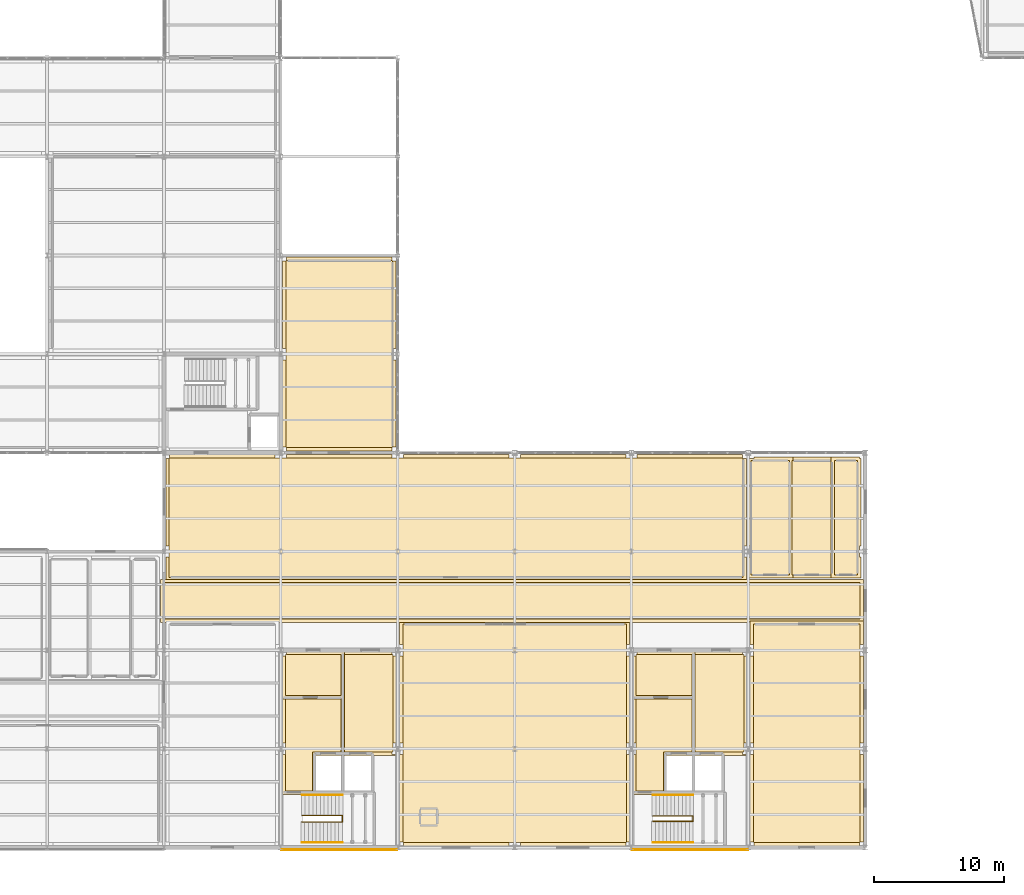
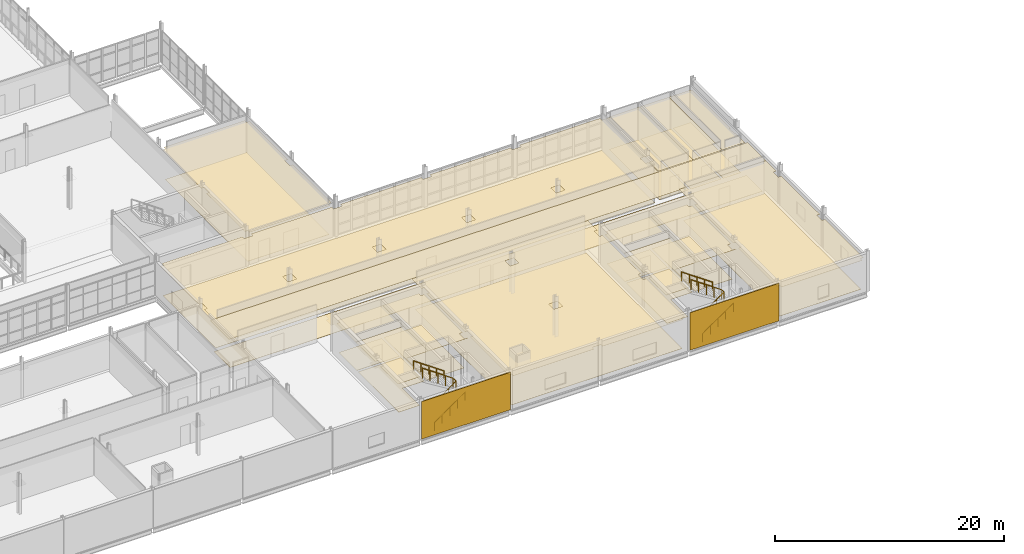
# One storey, part 167 of 174: 30 coverings, 6 railings.
"""IFC4 building model written with IfcOpenShell, lengths in metres."""

from ifc_helpers import new_model, si_unit, direction, frame, origin, origin_2d, place, context, subcontext, project, spatial, polyline, rectangle, circle, outline, extrude, material, layer, layer_set, type_object, element, save


model = new_model("IFC4")

# Units and contexts
model_context = context("Model", 3, precision=1e-05, world=origin(), true_north=direction((0.0, 1.0)))
body_context = subcontext(model_context, "Body", "Model", "MODEL_VIEW")
ifc_project = project(units=[si_unit("LENGTHUNIT", "METRE"), si_unit("AREAUNIT", "SQUARE_METRE"), si_unit("VOLUMEUNIT", "CUBIC_METRE"), si_unit("PLANEANGLEUNIT", "RADIAN"), si_unit("MASSUNIT", "GRAM", prefix="KILO")], contexts=[model_context])

# Site, building, storey
site_placement = place(None, origin())
site = spatial("IfcSite", under=ifc_project, at=site_placement, CompositionType="ELEMENT")
building_placement = place(site_placement, origin())
building = spatial("IfcBuilding", under=site, at=building_placement, Name="Caisbarro Railhouse Central Library", CompositionType="ELEMENT")
storey_placement = place(building_placement, frame((0.0, 0.0, 5.0400390625)))
storey = spatial("IfcBuildingStorey", under=building, at=storey_placement, Name="L01", CompositionType="ELEMENT", Elevation=5.0400390625)

# Coverings
ifc_material_1 = material(Name="Extruded architectural terracotta rainscreen", Category="masonry")
ifc_layer_1 = layer(ifc_material_1, 0.054931640625, Name="Extruded architectural terracotta rainscreen")
ifc_layer_set_1 = layer_set([ifc_layer_1], Name="Extruded architectural terracotta rainscreen")
covering_type_1 = type_object("IfcCoveringType", Name="CLD-TER01", PredefinedType="CLADDING", material=ifc_layer_set_1)
for number, where, z_axis, x_axis, name in (
    (1, (67.5, -0.17138671875, 0.030029296875), (0.0, 0.0, 1.0), (1.0, 0.0, 0.0), "TER01 facade cladding L01-025"),
    (2, (94.5, -0.17138671875, 0.030029296875), (0.0, 0.0, 1.0), (1.0, 0.0, 0.0), "TER01 facade cladding L01-026"),
):
    element("IfcCovering", number, at=place(storey_placement, frame(where, z_axis=z_axis, x_axis=x_axis)), inside=storey, type_object=covering_type_1, Name=name, PredefinedType="CLADDING", context=body_context, shape_type="SweptSolid", body=[
        extrude(rectangle(XDim=8.9599609375, YDim=0.054931640625, at=origin_2d()), origin(), (0.0, 0.0, 1.0), 4.0),
    ])
ifc_material_2 = material(Name="Perforated mineral-fibre acoustic ceiling tile")
ifc_layer_2 = layer(ifc_material_2, 0.01806640625, Name="Perforated mineral-fibre acoustic ceiling tile")
ifc_layer_set_2 = layer_set([ifc_layer_2], Name="Perforated mineral-fibre acoustic ceiling tile")
covering_type_2 = type_object("IfcCoveringType", Name="COV-CL01", PredefinedType="CEILING", material=ifc_layer_set_2)
covering_1_placement = place(storey_placement, frame((0.0, 0.0, 3.25)))
element("IfcCovering", 3, at=covering_1_placement, inside=storey, type_object=covering_type_2, Name="CL01 acoustic ceiling Firefighting Lift Lobby K1", PredefinedType="CEILING", context=body_context, shape_type="SweptSolid", body=[
    extrude(outline(polyline([(63.090087890625, 7.159912109375), (63.43994140625, 7.159912109375), (63.43994140625, 8.0400390625), (63.090087890625, 8.0400390625), (63.090087890625, 11.7099609375), (67.909912109375, 11.7099609375), (67.909912109375, 7.090087890625), (65.7099609375, 7.090087890625), (65.7099609375, 4.090087890625), (63.090087890625, 4.090087890625), (63.090087890625, 7.159912109375)])), origin(), (0.0, 0.0, 1.0), 0.01806640625),
])
covering_2_placement = place(storey_placement, frame((0.0, 0.0, 3.25)))
element("IfcCovering", 4, at=covering_2_placement, inside=storey, type_object=covering_type_2, Name="CL01 acoustic ceiling Lift Lobby K1", PredefinedType="CEILING", context=body_context, shape_type="SweptSolid", body=[
    extrude(outline(polyline([(71.56005859375, 15.110107421875), (71.56005859375, 14.760009765625), (71.909912109375, 14.760009765625), (71.909912109375, 8.0400390625), (71.56005859375, 8.0400390625), (71.56005859375, 7.159912109375), (71.909912109375, 7.159912109375), (71.909912109375, 7.090087890625), (67.639892578125, 7.090087890625), (67.639892578125, 15.110107421875), (71.56005859375, 15.110107421875)])), origin(), (0.0, 0.0, 1.0), 0.01806640625),
])
covering_3_placement = place(storey_placement, frame((0.0, 0.0, 3.25)))
element("IfcCovering", 5, at=covering_3_placement, inside=storey, type_object=covering_type_2, Name="CL01 acoustic ceiling Core Vestibule K1", PredefinedType="CEILING", context=body_context, shape_type="SweptSolid", body=[
    extrude(outline(polyline([(63.090087890625, 14.760009765625), (63.43994140625, 14.760009765625), (63.43994140625, 15.110107421875), (67.909912109375, 15.110107421875), (67.909912109375, 11.43994140625), (63.090087890625, 11.43994140625), (63.090087890625, 14.760009765625)])), origin(), (0.0, 0.0, 1.0), 0.01806640625),
])
covering_4_placement = place(storey_placement, frame((0.0, 0.0, 3.25)))
element("IfcCovering", 6, at=covering_4_placement, inside=storey, type_object=covering_type_2, Name="CL01 acoustic ceiling Firefighting Lift Lobby K2", PredefinedType="CEILING", context=body_context, shape_type="SweptSolid", body=[
    extrude(outline(polyline([(90.090087890625, 7.159912109375), (90.43994140625, 7.159912109375), (90.43994140625, 8.0400390625), (90.090087890625, 8.0400390625), (90.090087890625, 11.7099609375), (94.909912109375, 11.7099609375), (94.909912109375, 7.090087890625), (92.7099609375, 7.090087890625), (92.7099609375, 4.090087890625), (90.090087890625, 4.090087890625), (90.090087890625, 7.159912109375)])), origin(), (0.0, 0.0, 1.0), 0.01806640625),
])
covering_5_placement = place(storey_placement, frame((0.0, 0.0, 3.25)))
element("IfcCovering", 7, at=covering_5_placement, inside=storey, type_object=covering_type_2, Name="CL01 acoustic ceiling Lift Lobby K2", PredefinedType="CEILING", context=body_context, shape_type="SweptSolid", body=[
    extrude(outline(polyline([(98.56005859375, 15.110107421875), (98.56005859375, 14.760009765625), (98.909912109375, 14.760009765625), (98.909912109375, 8.0400390625), (98.56005859375, 8.0400390625), (98.56005859375, 7.159912109375), (98.909912109375, 7.159912109375), (98.909912109375, 7.090087890625), (94.639892578125, 7.090087890625), (94.639892578125, 15.110107421875), (98.56005859375, 15.110107421875)])), origin(), (0.0, 0.0, 1.0), 0.01806640625),
])
covering_6_placement = place(storey_placement, frame((0.0, 0.0, 3.25)))
element("IfcCovering", 8, at=covering_6_placement, inside=storey, type_object=covering_type_2, Name="CL01 acoustic ceiling Core Vestibule K2", PredefinedType="CEILING", context=body_context, shape_type="SweptSolid", body=[
    extrude(outline(polyline([(90.090087890625, 14.760009765625), (90.43994140625, 14.760009765625), (90.43994140625, 15.110107421875), (94.909912109375, 15.110107421875), (94.909912109375, 11.43994140625), (90.090087890625, 11.43994140625), (90.090087890625, 14.760009765625)])), origin(), (0.0, 0.0, 1.0), 0.01806640625),
])
covering_7_placement = place(storey_placement, frame((0.0, 0.0, 3.25)))
element("IfcCovering", 9, at=covering_7_placement, inside=storey, type_object=covering_type_2, Name="CL01 acoustic ceiling Open Humanities Stacks East", PredefinedType="CEILING", context=body_context, shape_type="SweptSolid", body=[
    extrude(outline(polyline([(72.43994140625, 0.43994140625), (72.139892578125, 0.43994140625), (72.139892578125, 7.159912109375), (72.43994140625, 7.159912109375), (72.43994140625, 8.0400390625), (72.139892578125, 8.0400390625), (72.139892578125, 14.760009765625), (72.43994140625, 14.760009765625), (72.43994140625, 15.639892578125), (72.139892578125, 15.639892578125), (72.139892578125, 17.4599609375), (89.860107421875, 17.4599609375), (89.860107421875, 15.639892578125), (89.56005859375, 15.639892578125), (89.56005859375, 14.760009765625), (89.860107421875, 14.760009765625), (89.860107421875, 8.0400390625), (89.56005859375, 8.0400390625), (89.56005859375, 7.159912109375), (89.860107421875, 7.159912109375), (89.860107421875, 0.43994140625), (89.56005859375, 0.43994140625), (89.56005859375, 0.139892578125), (81.43994140625, 0.139892578125), (81.43994140625, 0.43994140625), (80.56005859375, 0.43994140625), (80.56005859375, 0.139892578125), (72.43994140625, 0.139892578125), (72.43994140625, 0.43994140625)]), holes=[polyline([(81.43994140625, 8.0400390625), (80.56005859375, 8.0400390625), (80.56005859375, 7.159912109375), (81.43994140625, 7.159912109375), (81.43994140625, 8.0400390625)]), polyline([(81.43994140625, 14.760009765625), (81.43994140625, 15.639892578125), (80.56005859375, 15.639892578125), (80.56005859375, 14.760009765625), (81.43994140625, 14.760009765625)])]), origin(), (0.0, 0.0, 1.0), 0.01806640625),
])
covering_8_placement = place(storey_placement, frame((0.0, 0.0, 3.25)))
element("IfcCovering", 10, at=covering_8_placement, inside=storey, type_object=covering_type_2, Name="CL01 acoustic ceiling Rare-Serials Closed Stacks", PredefinedType="CEILING", context=body_context, shape_type="SweptSolid", body=[
    extrude(outline(polyline([(99.139892578125, 0.43994140625), (99.139892578125, 7.159912109375), (99.43994140625, 7.159912109375), (99.43994140625, 8.0400390625), (99.139892578125, 8.0400390625), (99.139892578125, 14.760009765625), (99.43994140625, 14.760009765625), (99.43994140625, 15.639892578125), (99.139892578125, 15.639892578125), (99.139892578125, 17.4599609375), (107.860107421875, 17.4599609375), (107.860107421875, 15.639892578125), (107.56005859375, 15.639892578125), (107.56005859375, 14.760009765625), (107.860107421875, 14.760009765625), (107.860107421875, 8.0400390625), (107.56005859375, 8.0400390625), (107.56005859375, 7.159912109375), (107.860107421875, 7.159912109375), (107.860107421875, 0.43994140625), (107.56005859375, 0.43994140625), (107.56005859375, 0.139892578125), (99.43994140625, 0.139892578125), (99.43994140625, 0.43994140625), (99.139892578125, 0.43994140625)])), origin(), (0.0, 0.0, 1.0), 0.01806640625),
])
covering_9_placement = place(storey_placement, frame((0.0, 0.0, 3.25)))
element("IfcCovering", 11, at=covering_9_placement, inside=storey, type_object=covering_type_2, Name="CL01 acoustic ceiling Archive Spine Corridor L01", PredefinedType="CEILING", context=body_context, shape_type="SweptSolid", body=[
    extrude(outline(polyline([(53.739990234375, 17.340087890625), (53.739990234375, 20.659912109375), (107.860107421875, 20.659912109375), (107.860107421875, 17.340087890625), (53.739990234375, 17.340087890625)])), origin(), (0.0, 0.0, 1.0), 0.01806640625),
])
covering_10_placement = place(storey_placement, frame((0.0, 0.0, 3.25)))
element("IfcCovering", 12, at=covering_10_placement, inside=storey, type_object=covering_type_2, Name="CL01 acoustic ceiling Social Sciences Open Stacks", PredefinedType="CEILING", context=body_context, shape_type="SweptSolid", body=[
    extrude(outline(polyline([(71.56005859375, 30.260009765625), (71.56005859375, 29.9599609375), (72.43994140625, 29.9599609375), (72.43994140625, 30.260009765625), (80.56005859375, 30.260009765625), (80.56005859375, 29.9599609375), (81.43994140625, 29.9599609375), (81.43994140625, 30.260009765625), (89.56005859375, 30.260009765625), (89.56005859375, 29.9599609375), (90.43994140625, 29.9599609375), (90.43994140625, 30.260009765625), (98.56005859375, 30.260009765625), (98.56005859375, 29.9599609375), (98.860107421875, 29.9599609375), (98.860107421875, 23.239990234375), (98.56005859375, 23.239990234375), (98.56005859375, 22.360107421875), (98.860107421875, 22.360107421875), (98.860107421875, 20.5400390625), (54.139892578125, 20.5400390625), (54.139892578125, 22.360107421875), (54.43994140625, 22.360107421875), (54.43994140625, 23.239990234375), (54.139892578125, 23.239990234375), (54.139892578125, 29.9599609375), (54.43994140625, 29.9599609375), (54.43994140625, 30.260009765625), (62.56005859375, 30.260009765625), (62.56005859375, 29.9599609375), (63.43994140625, 29.9599609375), (63.43994140625, 30.260009765625), (71.56005859375, 30.260009765625)]), holes=[polyline([(62.56005859375, 23.239990234375), (62.56005859375, 22.360107421875), (63.43994140625, 22.360107421875), (63.43994140625, 23.239990234375), (62.56005859375, 23.239990234375)]), polyline([(72.43994140625, 22.360107421875), (72.43994140625, 23.239990234375), (71.56005859375, 23.239990234375), (71.56005859375, 22.360107421875), (72.43994140625, 22.360107421875)]), polyline([(80.56005859375, 23.239990234375), (80.56005859375, 22.360107421875), (81.43994140625, 22.360107421875), (81.43994140625, 23.239990234375), (80.56005859375, 23.239990234375)]), polyline([(90.43994140625, 22.360107421875), (90.43994140625, 23.239990234375), (89.56005859375, 23.239990234375), (89.56005859375, 22.360107421875), (90.43994140625, 22.360107421875)])]), origin(), (0.0, 0.0, 1.0), 0.01806640625),
])
covering_11_placement = place(storey_placement, frame((0.0, 0.0, 3.25)))
element("IfcCovering", 13, at=covering_11_placement, inside=storey, type_object=covering_type_2, Name="CL01 acoustic ceiling Male WC L01-E", PredefinedType="CEILING", context=body_context, shape_type="SweptSolid", body=[
    extrude(outline(polyline([(99.43994140625, 22.360107421875), (99.43994140625, 23.239990234375), (98.93994140625, 23.239990234375), (98.93994140625, 29.9599609375), (99.43994140625, 29.9599609375), (99.43994140625, 30.06005859375), (102.427978515625, 30.06005859375), (102.427978515625, 20.739990234375), (98.93994140625, 20.739990234375), (98.93994140625, 22.360107421875), (99.43994140625, 22.360107421875)])), origin(), (0.0, 0.0, 1.0), 0.01806640625),
])
covering_12_placement = place(storey_placement, frame((0.0, 0.0, 3.25)))
element("IfcCovering", 14, at=covering_12_placement, inside=storey, type_object=covering_type_2, Name="CL01 acoustic ceiling Female WC L01-E", PredefinedType="CEILING", context=body_context, shape_type="SweptSolid", body=[
    extrude(outline(polyline([(102.10791015625, 20.739990234375), (102.10791015625, 30.06005859375), (105.696044921875, 30.06005859375), (105.696044921875, 20.739990234375), (102.10791015625, 20.739990234375)])), origin(), (0.0, 0.0, 1.0), 0.01806640625),
])
covering_13_placement = place(storey_placement, frame((0.0, 0.0, 3.25)))
element("IfcCovering", 15, at=covering_13_placement, inside=storey, type_object=covering_type_2, Name="CL01 acoustic ceiling Accessible WC L01-E", PredefinedType="CEILING", context=body_context, shape_type="SweptSolid", body=[
    extrude(outline(polyline([(107.56005859375, 30.06005859375), (107.56005859375, 29.9599609375), (107.659912109375, 29.9599609375), (107.659912109375, 23.239990234375), (107.56005859375, 23.239990234375), (107.56005859375, 22.360107421875), (107.659912109375, 22.360107421875), (107.659912109375, 20.739990234375), (105.3759765625, 20.739990234375), (105.3759765625, 30.06005859375), (107.56005859375, 30.06005859375)])), origin(), (0.0, 0.0, 1.0), 0.01806640625),
])
covering_14_placement = place(storey_placement, frame((0.0, 0.0, 3.25)))
element("IfcCovering", 16, at=covering_14_placement, inside=storey, type_object=covering_type_2, Name="CL01 acoustic ceiling Foyer Overlook Lounge", PredefinedType="CEILING", context=body_context, shape_type="SweptSolid", body=[
    extrude(outline(polyline([(63.139892578125, 30.840087890625), (63.139892578125, 37.56005859375), (63.43994140625, 37.56005859375), (63.43994140625, 38.43994140625), (63.139892578125, 38.43994140625), (63.139892578125, 45.159912109375), (63.43994140625, 45.159912109375), (63.43994140625, 45.4599609375), (71.56005859375, 45.4599609375), (71.56005859375, 45.159912109375), (71.860107421875, 45.159912109375), (71.860107421875, 38.43994140625), (71.56005859375, 38.43994140625), (71.56005859375, 37.56005859375), (71.860107421875, 37.56005859375), (71.860107421875, 30.840087890625), (71.56005859375, 30.840087890625), (71.56005859375, 30.5400390625), (63.43994140625, 30.5400390625), (63.43994140625, 30.840087890625), (63.139892578125, 30.840087890625)])), origin(), (0.0, 0.0, 1.0), 0.01806640625),
])
ifc_material_3 = material(Name="Polished cementitious terrazzo flooring")
ifc_layer_3 = layer(ifc_material_3, 0.02197265625, Name="Polished cementitious terrazzo flooring")
ifc_layer_set_3 = layer_set([ifc_layer_3], Name="Polished cementitious terrazzo flooring")
covering_type_3 = type_object("IfcCoveringType", Name="COV-FL01", PredefinedType="FLOORING", material=ifc_layer_set_3)
covering_15_placement = place(storey_placement, origin())
element("IfcCovering", 17, at=covering_15_placement, inside=storey, type_object=covering_type_3, Name="FL01 flooring Firefighting Lift Lobby K1", PredefinedType="FLOORING", context=body_context, shape_type="SweptSolid", body=[
    extrude(outline(polyline([(63.35009765625, 4.35009765625), (65.449951171875, 4.35009765625), (65.449951171875, 7.35009765625), (67.64990234375, 7.35009765625), (67.64990234375, 11.449951171875), (63.35009765625, 11.449951171875), (63.35009765625, 4.35009765625)])), origin(), (0.0, 0.0, 1.0), 0.02197265625),
])
covering_16_placement = place(storey_placement, origin())
element("IfcCovering", 18, at=covering_16_placement, inside=storey, type_object=covering_type_3, Name="FL01 flooring Lift Lobby K1", PredefinedType="FLOORING", context=body_context, shape_type="SweptSolid", body=[
    extrude(outline(polyline([(67.89990234375, 7.35009765625), (71.64990234375, 7.35009765625), (71.64990234375, 14.85009765625), (67.89990234375, 14.85009765625), (67.89990234375, 7.35009765625)])), origin(), (0.0, 0.0, 1.0), 0.02197265625),
])
covering_17_placement = place(storey_placement, origin())
element("IfcCovering", 19, at=covering_17_placement, inside=storey, type_object=covering_type_3, Name="FL01 flooring Firefighting Lift Lobby K2", PredefinedType="FLOORING", context=body_context, shape_type="SweptSolid", body=[
    extrude(outline(polyline([(90.35009765625, 4.35009765625), (92.449951171875, 4.35009765625), (92.449951171875, 7.35009765625), (94.64990234375, 7.35009765625), (94.64990234375, 11.449951171875), (90.35009765625, 11.449951171875), (90.35009765625, 4.35009765625)])), origin(), (0.0, 0.0, 1.0), 0.02197265625),
])
covering_18_placement = place(storey_placement, origin())
element("IfcCovering", 20, at=covering_18_placement, inside=storey, type_object=covering_type_3, Name="FL01 flooring Lift Lobby K2", PredefinedType="FLOORING", context=body_context, shape_type="SweptSolid", body=[
    extrude(outline(polyline([(94.89990234375, 7.35009765625), (98.64990234375, 7.35009765625), (98.64990234375, 14.85009765625), (94.89990234375, 14.85009765625), (94.89990234375, 7.35009765625)])), origin(), (0.0, 0.0, 1.0), 0.02197265625),
])
covering_19_placement = place(storey_placement, origin())
element("IfcCovering", 21, at=covering_19_placement, inside=storey, type_object=covering_type_3, Name="FL01 flooring Archive Spine Corridor L01", PredefinedType="FLOORING", context=body_context, shape_type="SweptSolid", body=[
    extrude(outline(polyline([(54.0, 17.60009765625), (107.60009765625, 17.60009765625), (107.60009765625, 20.39990234375), (54.0, 20.39990234375), (54.0, 17.60009765625)])), origin(), (0.0, 0.0, 1.0), 0.02197265625),
])
covering_20_placement = place(storey_placement, origin())
element("IfcCovering", 22, at=covering_20_placement, inside=storey, type_object=covering_type_3, Name="FL01 flooring Foyer Overlook Lounge", PredefinedType="FLOORING", context=body_context, shape_type="SweptSolid", body=[
    extrude(outline(polyline([(63.39990234375, 30.800048828125), (71.60009765625, 30.800048828125), (71.60009765625, 45.199951171875), (63.39990234375, 45.199951171875), (63.39990234375, 30.800048828125)])), origin(), (0.0, 0.0, 1.0), 0.02197265625),
])
ifc_material_4 = material(Name="Heavy-duty acoustic linoleum flooring")
ifc_layer_4 = layer(ifc_material_4, 0.011962890625, Name="Heavy-duty acoustic linoleum flooring")
ifc_layer_set_4 = layer_set([ifc_layer_4], Name="Heavy-duty acoustic linoleum flooring")
covering_type_4 = type_object("IfcCoveringType", Name="COV-FL02", PredefinedType="FLOORING", material=ifc_layer_set_4)
covering_21_placement = place(storey_placement, origin())
element("IfcCovering", 23, at=covering_21_placement, inside=storey, type_object=covering_type_4, Name="FL02 flooring Core Vestibule K1", PredefinedType="FLOORING", context=body_context, shape_type="SweptSolid", body=[
    extrude(outline(polyline([(63.35009765625, 11.699951171875), (67.64990234375, 11.699951171875), (67.64990234375, 14.85009765625), (63.35009765625, 14.85009765625), (63.35009765625, 11.699951171875)])), origin(), (0.0, 0.0, 1.0), 0.011962890625),
])
covering_22_placement = place(storey_placement, origin())
element("IfcCovering", 24, at=covering_22_placement, inside=storey, type_object=covering_type_4, Name="FL02 flooring Core Vestibule K2", PredefinedType="FLOORING", context=body_context, shape_type="SweptSolid", body=[
    extrude(outline(polyline([(90.35009765625, 11.699951171875), (94.64990234375, 11.699951171875), (94.64990234375, 14.85009765625), (90.35009765625, 14.85009765625), (90.35009765625, 11.699951171875)])), origin(), (0.0, 0.0, 1.0), 0.011962890625),
])
covering_23_placement = place(storey_placement, origin())
element("IfcCovering", 25, at=covering_23_placement, inside=storey, type_object=covering_type_4, Name="FL02 flooring Open Humanities Stacks East", PredefinedType="FLOORING", context=body_context, shape_type="SweptSolid", body=[
    extrude(outline(polyline([(72.39990234375, 0.39990234375), (89.60009765625, 0.39990234375), (89.60009765625, 17.199951171875), (72.39990234375, 17.199951171875), (72.39990234375, 0.39990234375)])), origin(), (0.0, 0.0, 1.0), 0.011962890625),
])
covering_24_placement = place(storey_placement, origin())
element("IfcCovering", 26, at=covering_24_placement, inside=storey, type_object=covering_type_4, Name="FL02 flooring Rare-Serials Closed Stacks", PredefinedType="FLOORING", context=body_context, shape_type="SweptSolid", body=[
    extrude(outline(polyline([(99.39990234375, 0.39990234375), (107.60009765625, 0.39990234375), (107.60009765625, 17.199951171875), (99.39990234375, 17.199951171875), (99.39990234375, 0.39990234375)])), origin(), (0.0, 0.0, 1.0), 0.011962890625),
])
covering_25_placement = place(storey_placement, origin())
element("IfcCovering", 27, at=covering_25_placement, inside=storey, type_object=covering_type_4, Name="FL02 flooring Social Sciences Open Stacks", PredefinedType="FLOORING", context=body_context, shape_type="SweptSolid", body=[
    extrude(outline(polyline([(54.39990234375, 20.800048828125), (98.60009765625, 20.800048828125), (98.60009765625, 30.0), (54.39990234375, 30.0), (54.39990234375, 20.800048828125)])), origin(), (0.0, 0.0, 1.0), 0.011962890625),
])
covering_26_placement = place(storey_placement, origin())
element("IfcCovering", 28, at=covering_26_placement, inside=storey, type_object=covering_type_4, Name="FL02 flooring Male WC L01-E", PredefinedType="FLOORING", context=body_context, shape_type="SweptSolid", body=[
    extrude(outline(polyline([(99.199951171875, 21.0), (102.16796875, 21.0), (102.16796875, 29.800048828125), (99.199951171875, 29.800048828125), (99.199951171875, 21.0)])), origin(), (0.0, 0.0, 1.0), 0.011962890625),
])
covering_27_placement = place(storey_placement, origin())
element("IfcCovering", 29, at=covering_27_placement, inside=storey, type_object=covering_type_4, Name="FL02 flooring Female WC L01-E", PredefinedType="FLOORING", context=body_context, shape_type="SweptSolid", body=[
    extrude(outline(polyline([(102.367919921875, 21.0), (105.43603515625, 21.0), (105.43603515625, 29.800048828125), (102.367919921875, 29.800048828125), (102.367919921875, 21.0)])), origin(), (0.0, 0.0, 1.0), 0.011962890625),
])
covering_28_placement = place(storey_placement, origin())
element("IfcCovering", 30, at=covering_28_placement, inside=storey, type_object=covering_type_4, Name="FL02 flooring Accessible WC L01-E", PredefinedType="FLOORING", context=body_context, shape_type="SweptSolid", body=[
    extrude(outline(polyline([(105.635986328125, 21.0), (107.39990234375, 21.0), (107.39990234375, 29.800048828125), (105.635986328125, 29.800048828125), (105.635986328125, 21.0)])), origin(), (0.0, 0.0, 1.0), 0.011962890625),
])

# Railings
ifc_material_5 = material(Name="Brushed stainless steel Grade 316", Category="steel")
railing_type_1 = type_object("IfcRailingType", Name="RLG-STR092", PredefinedType="HANDRAIL", material=ifc_material_5)
railing_1_placement = place(storey_placement, frame((64.64990234375, 0.389892578125, 0.0)))
element("IfcRailing", 31, at=railing_1_placement, inside=storey, type_object=railing_type_1, Name="Stair ST-01 Outer Handrail F1 L01", PredefinedType="HANDRAIL", context=body_context, shape_type="SweptSolid", body=[
    extrude(circle(Radius=0.02392578125, at=origin_2d()), frame((0.0, 0.0, 0.89599609375), z_axis=(0.819624179701, 0.0, 0.572901565759), x_axis=(0.0, 1.0, 0.0)), (0.0, 0.0, 1.0), 3.77001953125),
    extrude(circle(Radius=0.02099609375, at=origin_2d()), origin(), (0.0, 0.0, 1.0), 0.871826171875),
    extrude(circle(Radius=0.02099609375, at=origin_2d()), frame((0.7724609375, 0.0, 0.5400390625)), (0.0, 0.0, 1.0), 0.871826171875),
    extrude(circle(Radius=0.02099609375, at=origin_2d()), frame((1.544921875, 0.0, 1.080078125)), (0.0, 0.0, 1.0), 0.871826171875),
    extrude(circle(Radius=0.02099609375, at=origin_2d()), frame((2.317626953125, 0.0, 1.619873046875)), (0.0, 0.0, 1.0), 0.871826171875),
    extrude(circle(Radius=0.02099609375, at=origin_2d()), frame((3.090087890625, 0.0, 2.159912109375)), (0.0, 0.0, 1.0), 0.871826171875),
])
railing_2_placement = place(storey_placement, frame((67.739990234375, 4.06005859375, 2.159912109375)))
element("IfcRailing", 32, at=railing_2_placement, inside=storey, type_object=railing_type_1, Name="Stair ST-01 Outer Handrail F2 L01", PredefinedType="HANDRAIL", context=body_context, shape_type="SweptSolid", body=[
    extrude(circle(Radius=0.02392578125, at=origin_2d()), frame((0.0, 0.0, 0.89599609375), z_axis=(-0.819593772312, 0.0, 0.572945065767), x_axis=(0.0, -1.0, 0.0)), (0.0, 0.0, 1.0), 3.770263671875),
    extrude(circle(Radius=0.02099609375, at=origin_2d()), origin(), (0.0, 0.0, 1.0), 0.871826171875),
    extrude(circle(Radius=0.02099609375, at=origin_2d()), frame((-0.7724609375, 0.0, 0.5400390625)), (0.0, 0.0, 1.0), 0.871826171875),
    extrude(circle(Radius=0.02099609375, at=origin_2d()), frame((-1.544921875, 0.0, 1.080078125)), (0.0, 0.0, 1.0), 0.871826171875),
    extrude(circle(Radius=0.02099609375, at=origin_2d()), frame((-2.317626953125, 0.0, 1.6201171875)), (0.0, 0.0, 1.0), 0.871826171875),
    extrude(circle(Radius=0.02099609375, at=origin_2d()), frame((-3.090087890625, 0.0, 2.16015625)), (0.0, 0.0, 1.0), 0.871826171875),
])
railing_3_placement = place(storey_placement, frame((91.64990234375, 0.389892578125, 0.0)))
element("IfcRailing", 33, at=railing_3_placement, inside=storey, type_object=railing_type_1, Name="Stair ST-02 Outer Handrail F1 L01", PredefinedType="HANDRAIL", context=body_context, shape_type="SweptSolid", body=[
    extrude(circle(Radius=0.02392578125, at=origin_2d()), frame((0.0, 0.0, 0.89599609375), z_axis=(0.819624179701, 0.0, 0.572901565759), x_axis=(0.0, 1.0, 0.0)), (0.0, 0.0, 1.0), 3.77001953125),
    extrude(circle(Radius=0.02099609375, at=origin_2d()), origin(), (0.0, 0.0, 1.0), 0.871826171875),
    extrude(circle(Radius=0.02099609375, at=origin_2d()), frame((0.7724609375, 0.0, 0.5400390625)), (0.0, 0.0, 1.0), 0.871826171875),
    extrude(circle(Radius=0.02099609375, at=origin_2d()), frame((1.544921875, 0.0, 1.080078125)), (0.0, 0.0, 1.0), 0.871826171875),
    extrude(circle(Radius=0.02099609375, at=origin_2d()), frame((2.317626953125, 0.0, 1.619873046875)), (0.0, 0.0, 1.0), 0.871826171875),
    extrude(circle(Radius=0.02099609375, at=origin_2d()), frame((3.090087890625, 0.0, 2.159912109375)), (0.0, 0.0, 1.0), 0.871826171875),
])
railing_4_placement = place(storey_placement, frame((94.739990234375, 4.06005859375, 2.159912109375)))
element("IfcRailing", 34, at=railing_4_placement, inside=storey, type_object=railing_type_1, Name="Stair ST-02 Outer Handrail F2 L01", PredefinedType="HANDRAIL", context=body_context, shape_type="SweptSolid", body=[
    extrude(circle(Radius=0.02392578125, at=origin_2d()), frame((0.0, 0.0, 0.89599609375), z_axis=(-0.819593772312, 0.0, 0.572945065767), x_axis=(0.0, -1.0, 0.0)), (0.0, 0.0, 1.0), 3.770263671875),
    extrude(circle(Radius=0.02099609375, at=origin_2d()), origin(), (0.0, 0.0, 1.0), 0.871826171875),
    extrude(circle(Radius=0.02099609375, at=origin_2d()), frame((-0.7724609375, 0.0, 0.5400390625)), (0.0, 0.0, 1.0), 0.871826171875),
    extrude(circle(Radius=0.02099609375, at=origin_2d()), frame((-1.544921875, 0.0, 1.080078125)), (0.0, 0.0, 1.0), 0.871826171875),
    extrude(circle(Radius=0.02099609375, at=origin_2d()), frame((-2.317626953125, 0.0, 1.6201171875)), (0.0, 0.0, 1.0), 0.871826171875),
    extrude(circle(Radius=0.02099609375, at=origin_2d()), frame((-3.090087890625, 0.0, 2.16015625)), (0.0, 0.0, 1.0), 0.871826171875),
])
railing_type_2 = type_object("IfcRailingType", Name="RLG-STR110", PredefinedType="GUARDRAIL", material=ifc_material_5)
railing_5_placement = place(storey_placement, frame((64.64990234375, 1.969970703125, 0.0)))
element("IfcRailing", 35, at=railing_5_placement, inside=storey, type_object=railing_type_2, Name="Stair ST-01 Inner Well Guardrail L01", PredefinedType="GUARDRAIL", context=body_context, shape_type="SweptSolid", body=[
    extrude(circle(Radius=0.02392578125, at=origin_2d()), frame((0.0, 0.0, 1.076171875), z_axis=(0.819624179701, 0.0, 0.572901565759), x_axis=(0.0, 1.0, 0.0)), (0.0, 0.0, 1.0), 3.77001953125),
    extrude(circle(Radius=0.02392578125, at=origin_2d()), frame((3.090087890625, 0.0, 3.23583984375), z_axis=(0.0, 1.0, 0.0), x_axis=(-1.0, 0.0, 0.0)), (0.0, 0.0, 1.0), 0.510009765625),
    extrude(circle(Radius=0.02392578125, at=origin_2d()), frame((3.090087890625, 0.510009765625, 3.23583984375), z_axis=(-0.819593772312, 0.0, 0.572945065767), x_axis=(0.0, -1.0, 0.0)), (0.0, 0.0, 1.0), 3.770263671875),
    extrude(circle(Radius=0.02099609375, at=origin_2d()), origin(), (0.0, 0.0, 1.0), 1.052001953125),
    extrude(circle(Radius=0.02099609375, at=origin_2d()), frame((0.7724609375, 0.0, 0.5400390625)), (0.0, 0.0, 1.0), 1.052001953125),
    extrude(circle(Radius=0.02099609375, at=origin_2d()), frame((1.544921875, 0.0, 1.080078125)), (0.0, 0.0, 1.0), 1.052001953125),
    extrude(circle(Radius=0.02099609375, at=origin_2d()), frame((2.317626953125, 0.0, 1.619873046875)), (0.0, 0.0, 1.0), 1.052001953125),
    extrude(circle(Radius=0.02099609375, at=origin_2d()), frame((3.090087890625, 0.0, 2.159912109375)), (0.0, 0.0, 1.0), 1.052001953125),
    extrude(circle(Radius=0.02099609375, at=origin_2d()), frame((3.090087890625, 0.510009765625, 2.159912109375)), (0.0, 0.0, 1.0), 1.052001953125),
    extrude(circle(Radius=0.02099609375, at=origin_2d()), frame((2.317626953125, 0.510009765625, 2.699951171875)), (0.0, 0.0, 1.0), 1.052001953125),
    extrude(circle(Radius=0.02099609375, at=origin_2d()), frame((1.544921875, 0.510009765625, 3.239990234375)), (0.0, 0.0, 1.0), 1.052001953125),
    extrude(circle(Radius=0.02099609375, at=origin_2d()), frame((0.7724609375, 0.510009765625, 3.780029296875)), (0.0, 0.0, 1.0), 1.052001953125),
    extrude(circle(Radius=0.02099609375, at=origin_2d()), frame((0.0, 0.510009765625, 4.320068359375)), (0.0, 0.0, 1.0), 1.052001953125),
])
railing_6_placement = place(storey_placement, frame((91.64990234375, 2.030029296875, 0.0)))
element("IfcRailing", 36, at=railing_6_placement, inside=storey, type_object=railing_type_2, Name="Stair ST-02 Inner Well Guardrail L01", PredefinedType="GUARDRAIL", context=body_context, shape_type="SweptSolid", body=[
    extrude(circle(Radius=0.02392578125, at=origin_2d()), frame((0.0, 0.0, 1.076171875), z_axis=(0.819624179701, 0.0, 0.572901565759), x_axis=(0.0, 1.0, 0.0)), (0.0, 0.0, 1.0), 3.77001953125),
    extrude(circle(Radius=0.02392578125, at=origin_2d()), frame((3.090087890625, 0.0, 3.23583984375), z_axis=(0.0, 1.0, 0.0), x_axis=(-1.0, 0.0, 0.0)), (0.0, 0.0, 1.0), 0.389892578125),
    extrude(circle(Radius=0.02392578125, at=origin_2d()), frame((3.090087890625, 0.389892578125, 3.23583984375), z_axis=(-0.819593772312, 0.0, 0.572945065767), x_axis=(0.0, -1.0, 0.0)), (0.0, 0.0, 1.0), 3.770263671875),
    extrude(circle(Radius=0.02099609375, at=origin_2d()), origin(), (0.0, 0.0, 1.0), 1.052001953125),
    extrude(circle(Radius=0.02099609375, at=origin_2d()), frame((0.7724609375, 0.0, 0.5400390625)), (0.0, 0.0, 1.0), 1.052001953125),
    extrude(circle(Radius=0.02099609375, at=origin_2d()), frame((1.544921875, 0.0, 1.080078125)), (0.0, 0.0, 1.0), 1.052001953125),
    extrude(circle(Radius=0.02099609375, at=origin_2d()), frame((2.317626953125, 0.0, 1.619873046875)), (0.0, 0.0, 1.0), 1.052001953125),
    extrude(circle(Radius=0.02099609375, at=origin_2d()), frame((3.090087890625, 0.0, 2.159912109375)), (0.0, 0.0, 1.0), 1.052001953125),
    extrude(circle(Radius=0.02099609375, at=origin_2d()), frame((3.090087890625, 0.389892578125, 2.159912109375)), (0.0, 0.0, 1.0), 1.052001953125),
    extrude(circle(Radius=0.02099609375, at=origin_2d()), frame((2.317626953125, 0.389892578125, 2.699951171875)), (0.0, 0.0, 1.0), 1.052001953125),
    extrude(circle(Radius=0.02099609375, at=origin_2d()), frame((1.544921875, 0.389892578125, 3.239990234375)), (0.0, 0.0, 1.0), 1.052001953125),
    extrude(circle(Radius=0.02099609375, at=origin_2d()), frame((0.7724609375, 0.389892578125, 3.780029296875)), (0.0, 0.0, 1.0), 1.052001953125),
    extrude(circle(Radius=0.02099609375, at=origin_2d()), frame((0.0, 0.389892578125, 4.320068359375)), (0.0, 0.0, 1.0), 1.052001953125),
])

save(model, "model.ifc")
